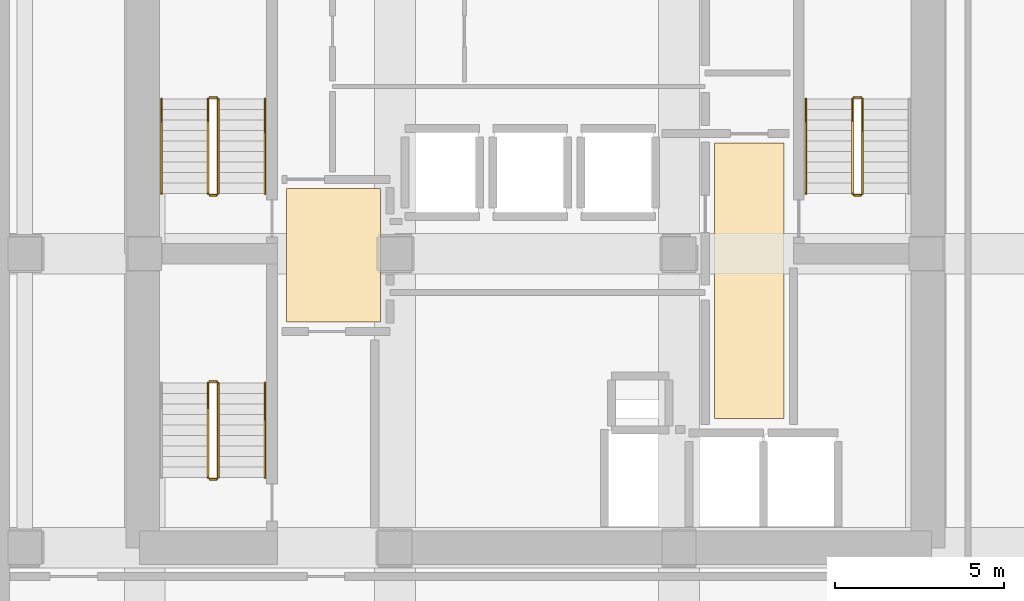
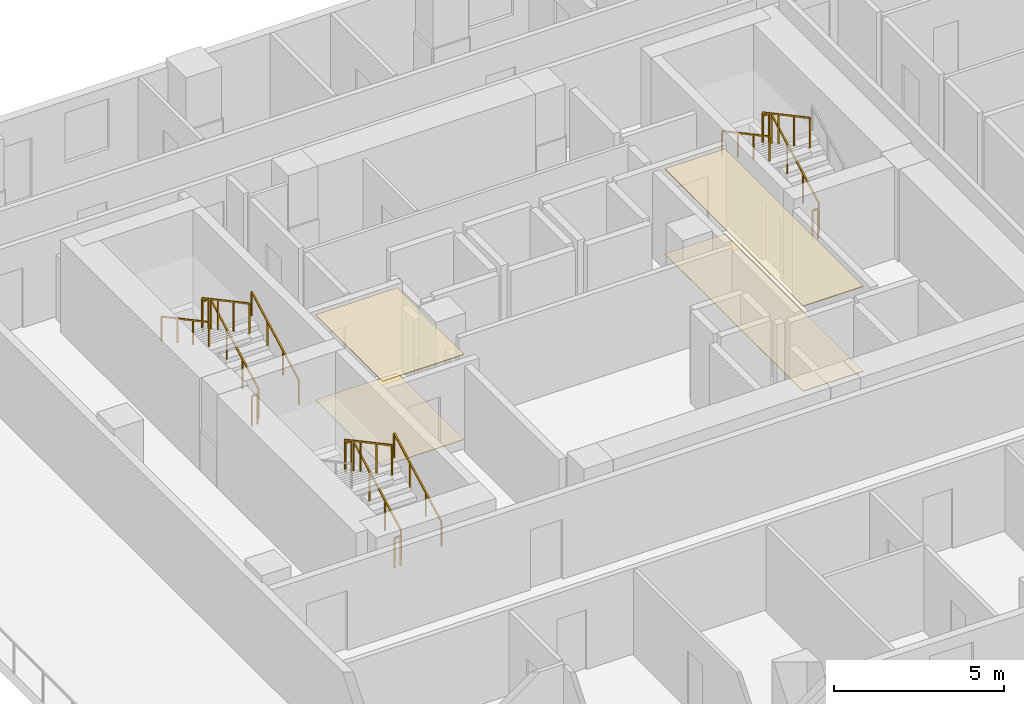
# One storey, part 9 of 10: 16 railings, 4 coverings.
"""IFC4 building model written with IfcOpenShell, lengths in metres."""

from ifc_helpers import new_model, si_unit, direction, frame, origin, origin_2d, place, context, subcontext, project, spatial, polyline, rectangle, outline, extrude, material, layer, layer_set, type_object, element, save


model = new_model("IFC4")

# Units and contexts
model_context = context("Model", 3, precision=1e-05, world=origin(), true_north=direction((0.0, 1.0)))
body_context = subcontext(model_context, "Body", "Model", "MODEL_VIEW")
ifc_project = project(units=[si_unit("LENGTHUNIT", "METRE"), si_unit("AREAUNIT", "SQUARE_METRE"), si_unit("VOLUMEUNIT", "CUBIC_METRE"), si_unit("PLANEANGLEUNIT", "RADIAN"), si_unit("MASSUNIT", "GRAM", prefix="KILO")], contexts=[model_context])

# Site, building, storey
site_placement = place(None, origin())
site = spatial("IfcSite", under=ifc_project, at=site_placement, CompositionType="ELEMENT")
building_placement = place(site_placement, origin())
building = spatial("IfcBuilding", under=site, at=building_placement, Name="Solanera Arch Residences", CompositionType="ELEMENT")
storey_placement = place(building_placement, frame((0.0, 0.0, 126.0)))
storey = spatial("IfcBuildingStorey", under=building, at=storey_placement, Name="L36", CompositionType="ELEMENT", Elevation=126.0)

# Coverings
ifc_material_1 = material(Name="Porcelain Acoustic Floor Tile", Category="ceramic")
ifc_layer_1 = layer(ifc_material_1, 0.02001953125)
ifc_layer_set_1 = layer_set([ifc_layer_1], Name="Porcelain Acoustic Floor Tile")
covering_type_1 = type_object("IfcCoveringType", Name="Porcelain Acoustic Floor Finish FLR-20", PredefinedType="FLOORING", material=ifc_layer_set_1)
covering_1_placement = place(storey_placement, origin())
element("IfcCovering", 1, at=covering_1_placement, inside=storey, type_object=covering_type_1, Name="L36-FFL-W Porcelain Floor Finish", PredefinedType="FLOORING", context=body_context, shape_type="SweptSolid", body=[
    extrude(outline(polyline([(20.375, 28.675048828125), (17.594970703125, 28.675048828125), (17.594970703125, 32.625), (20.375, 32.625), (20.375, 28.675048828125)])), origin(), (0.0, 0.0, 1.0), 0.02001953125),
])
covering_2_placement = place(storey_placement, origin())
element("IfcCovering", 2, at=covering_2_placement, inside=storey, type_object=covering_type_1, Name="L36-FFL-E Porcelain Floor Finish", PredefinedType="FLOORING", context=body_context, shape_type="SweptSolid", body=[
    extrude(outline(polyline([(32.304931640625, 25.824951171875), (30.25, 25.824951171875), (30.25, 33.97509765625), (32.304931640625, 33.97509765625), (32.304931640625, 25.824951171875)])), origin(), (0.0, 0.0, 1.0), 0.02001953125),
])

# Railings
ifc_material_2 = material(Name="Steel S355 (ASTM A992 / A572 Grade 50)", Category="steel")
railing_type_1 = type_object("IfcRailingType", Name="Stair Guardrail GR-1100", PredefinedType="GUARDRAIL", material=ifc_material_2)
railing_1_placement = place(storey_placement, frame((15.570068359375, 32.47998046875, 0.15087890625)))
element("IfcRailing", 3, at=railing_1_placement, inside=storey, type_object=railing_type_1, Name="L36 ST-T1 stair guard 1", PredefinedType="GUARDRAIL", context=body_context, shape_type="SweptSolid", body=[
    extrude(rectangle(XDim=0.048095703125, YDim=0.048095703125, at=origin_2d()), frame((0.0, 0.0, 1.076171875), z_axis=(0.0, 0.881548766853, 0.472092969298), x_axis=(-1.0, 0.0, 0.0)), (0.0, 0.0, 1.0), 3.1650390625),
    extrude(rectangle(XDim=0.0419921875, YDim=0.0419921875, at=origin_2d()), origin(), (0.0, 0.0, 1.0), 1.052001953125),
    extrude(rectangle(XDim=0.0419921875, YDim=0.0419921875, at=origin_2d()), frame((0.0, 0.929931640625, 0.498046875)), (0.0, 0.0, 1.0), 1.052001953125),
    extrude(rectangle(XDim=0.0419921875, YDim=0.0419921875, at=origin_2d()), frame((0.0, 1.860107421875, 0.99609375)), (0.0, 0.0, 1.0), 1.052001953125),
    extrude(rectangle(XDim=0.0419921875, YDim=0.0419921875, at=origin_2d()), frame((0.0, 2.7900390625, 1.494140625)), (0.0, 0.0, 1.0), 1.052001953125),
])
railing_2_placement = place(storey_placement, frame((15.52001953125, 35.320068359375, 1.64501953125)))
element("IfcRailing", 4, at=railing_2_placement, inside=storey, type_object=railing_type_1, Name="L36 ST-T1 stair guard 2", PredefinedType="GUARDRAIL", context=body_context, shape_type="SweptSolid", body=[
    extrude(rectangle(XDim=0.048095703125, YDim=0.048095703125, at=origin_2d()), frame((0.0, 0.0, 1.076171875), z_axis=(-1.0, 0.0, 0.0), x_axis=(0.0, -1.0, 0.0)), (0.0, 0.0, 1.0), 0.199951171875),
    extrude(rectangle(XDim=0.0419921875, YDim=0.0419921875, at=origin_2d()), origin(), (0.0, 0.0, 1.0), 1.052001953125),
    extrude(rectangle(XDim=0.0419921875, YDim=0.0419921875, at=origin_2d()), frame((-0.199951171875, 0.0, 0.0)), (0.0, 0.0, 1.0), 1.052001953125),
])
railing_3_placement = place(storey_placement, frame((15.27001953125, 35.27001953125, 1.81103515625)))
element("IfcRailing", 5, at=railing_3_placement, inside=storey, type_object=railing_type_1, Name="L36 ST-T1 stair guard 3", PredefinedType="GUARDRAIL", context=body_context, shape_type="SweptSolid", body=[
    extrude(rectangle(XDim=0.048095703125, YDim=0.048095703125, at=origin_2d()), frame((0.0, 0.0, 1.076171875), z_axis=(0.0, -0.881580869306, 0.472033018838), x_axis=(1.0, 0.0, 0.0)), (0.0, 0.0, 1.0), 3.164794921875),
    extrude(rectangle(XDim=0.0419921875, YDim=0.0419921875, at=origin_2d()), origin(), (0.0, 0.0, 1.0), 1.052001953125),
    extrude(rectangle(XDim=0.0419921875, YDim=0.0419921875, at=origin_2d()), frame((0.0, -0.929931640625, 0.498046875)), (0.0, 0.0, 1.0), 1.052001953125),
    extrude(rectangle(XDim=0.0419921875, YDim=0.0419921875, at=origin_2d()), frame((0.0, -1.860107421875, 0.995849609375)), (0.0, 0.0, 1.0), 1.052001953125),
    extrude(rectangle(XDim=0.0419921875, YDim=0.0419921875, at=origin_2d()), frame((0.0, -2.7900390625, 1.493896484375)), (0.0, 0.0, 1.0), 1.052001953125),
])
railing_4_placement = place(storey_placement, frame((15.52001953125, 32.429931640625, -0.014892578125)))
element("IfcRailing", 6, at=railing_4_placement, inside=storey, type_object=railing_type_1, Name="L36 ST-T1 stair guard 4", PredefinedType="GUARDRAIL", context=body_context, shape_type="SweptSolid", body=[
    extrude(rectangle(XDim=0.048095703125, YDim=0.048095703125, at=origin_2d()), frame((0.0, 0.0, 1.076171875), z_axis=(-1.0, 0.0, 0.0), x_axis=(0.0, -1.0, 0.0)), (0.0, 0.0, 1.0), 0.199951171875),
    extrude(rectangle(XDim=0.0419921875, YDim=0.0419921875, at=origin_2d()), origin(), (0.0, 0.0, 1.0), 1.052001953125),
    extrude(rectangle(XDim=0.0419921875, YDim=0.0419921875, at=origin_2d()), frame((-0.199951171875, 0.0, 0.0)), (0.0, 0.0, 1.0), 1.052001953125),
])
railing_5_placement = place(storey_placement, frame((34.6298828125, 32.47998046875, 0.15087890625)))
element("IfcRailing", 7, at=railing_5_placement, inside=storey, type_object=railing_type_1, Name="L36 ST-T2 stair guard 1", PredefinedType="GUARDRAIL", context=body_context, shape_type="SweptSolid", body=[
    extrude(rectangle(XDim=0.048095703125, YDim=0.048095703125, at=origin_2d()), frame((0.0, 0.0, 1.076171875), z_axis=(0.0, 0.881548766853, 0.472092969298), x_axis=(-1.0, 0.0, 0.0)), (0.0, 0.0, 1.0), 3.1650390625),
    extrude(rectangle(XDim=0.0419921875, YDim=0.0419921875, at=origin_2d()), origin(), (0.0, 0.0, 1.0), 1.052001953125),
    extrude(rectangle(XDim=0.0419921875, YDim=0.0419921875, at=origin_2d()), frame((0.0, 0.929931640625, 0.498046875)), (0.0, 0.0, 1.0), 1.052001953125),
    extrude(rectangle(XDim=0.0419921875, YDim=0.0419921875, at=origin_2d()), frame((0.0, 1.860107421875, 0.99609375)), (0.0, 0.0, 1.0), 1.052001953125),
    extrude(rectangle(XDim=0.0419921875, YDim=0.0419921875, at=origin_2d()), frame((0.0, 2.7900390625, 1.494140625)), (0.0, 0.0, 1.0), 1.052001953125),
])
railing_6_placement = place(storey_placement, frame((34.580078125, 35.320068359375, 1.64501953125)))
element("IfcRailing", 8, at=railing_6_placement, inside=storey, type_object=railing_type_1, Name="L36 ST-T2 stair guard 2", PredefinedType="GUARDRAIL", context=body_context, shape_type="SweptSolid", body=[
    extrude(rectangle(XDim=0.048095703125, YDim=0.048095703125, at=origin_2d()), frame((0.0, 0.0, 1.076171875), z_axis=(-1.0, 0.0, 0.0), x_axis=(0.0, -1.0, 0.0)), (0.0, 0.0, 1.0), 0.2001953125),
    extrude(rectangle(XDim=0.0419921875, YDim=0.0419921875, at=origin_2d()), origin(), (0.0, 0.0, 1.0), 1.052001953125),
    extrude(rectangle(XDim=0.0419921875, YDim=0.0419921875, at=origin_2d()), frame((-0.2001953125, 0.0, 0.0)), (0.0, 0.0, 1.0), 1.052001953125),
])
railing_7_placement = place(storey_placement, frame((34.330078125, 35.27001953125, 1.81103515625)))
element("IfcRailing", 9, at=railing_7_placement, inside=storey, type_object=railing_type_1, Name="L36 ST-T2 stair guard 3", PredefinedType="GUARDRAIL", context=body_context, shape_type="SweptSolid", body=[
    extrude(rectangle(XDim=0.048095703125, YDim=0.048095703125, at=origin_2d()), frame((0.0, 0.0, 1.076171875), z_axis=(0.0, -0.881580869306, 0.472033018838), x_axis=(1.0, 0.0, 0.0)), (0.0, 0.0, 1.0), 3.164794921875),
    extrude(rectangle(XDim=0.0419921875, YDim=0.0419921875, at=origin_2d()), origin(), (0.0, 0.0, 1.0), 1.052001953125),
    extrude(rectangle(XDim=0.0419921875, YDim=0.0419921875, at=origin_2d()), frame((0.0, -0.929931640625, 0.498046875)), (0.0, 0.0, 1.0), 1.052001953125),
    extrude(rectangle(XDim=0.0419921875, YDim=0.0419921875, at=origin_2d()), frame((0.0, -1.860107421875, 0.995849609375)), (0.0, 0.0, 1.0), 1.052001953125),
    extrude(rectangle(XDim=0.0419921875, YDim=0.0419921875, at=origin_2d()), frame((0.0, -2.7900390625, 1.493896484375)), (0.0, 0.0, 1.0), 1.052001953125),
])
railing_8_placement = place(storey_placement, frame((34.580078125, 32.429931640625, -0.014892578125)))
element("IfcRailing", 10, at=railing_8_placement, inside=storey, type_object=railing_type_1, Name="L36 ST-T2 stair guard 4", PredefinedType="GUARDRAIL", context=body_context, shape_type="SweptSolid", body=[
    extrude(rectangle(XDim=0.048095703125, YDim=0.048095703125, at=origin_2d()), frame((0.0, 0.0, 1.076171875), z_axis=(-1.0, 0.0, 0.0), x_axis=(0.0, -1.0, 0.0)), (0.0, 0.0, 1.0), 0.2001953125),
    extrude(rectangle(XDim=0.0419921875, YDim=0.0419921875, at=origin_2d()), origin(), (0.0, 0.0, 1.0), 1.052001953125),
    extrude(rectangle(XDim=0.0419921875, YDim=0.0419921875, at=origin_2d()), frame((-0.2001953125, 0.0, 0.0)), (0.0, 0.0, 1.0), 1.052001953125),
])
railing_9_placement = place(storey_placement, frame((15.570068359375, 24.080078125, 0.15087890625)))
element("IfcRailing", 11, at=railing_9_placement, inside=storey, type_object=railing_type_1, Name="L36 ST-T3 stair guard 1", PredefinedType="GUARDRAIL", context=body_context, shape_type="SweptSolid", body=[
    extrude(rectangle(XDim=0.048095703125, YDim=0.048095703125, at=origin_2d()), frame((0.0, 0.0, 1.076171875), z_axis=(0.0, 0.881548766853, 0.472092969298), x_axis=(-1.0, 0.0, 0.0)), (0.0, 0.0, 1.0), 3.1650390625),
    extrude(rectangle(XDim=0.0419921875, YDim=0.0419921875, at=origin_2d()), origin(), (0.0, 0.0, 1.0), 1.052001953125),
    extrude(rectangle(XDim=0.0419921875, YDim=0.0419921875, at=origin_2d()), frame((0.0, 0.929931640625, 0.498046875)), (0.0, 0.0, 1.0), 1.052001953125),
    extrude(rectangle(XDim=0.0419921875, YDim=0.0419921875, at=origin_2d()), frame((0.0, 1.860107421875, 0.99609375)), (0.0, 0.0, 1.0), 1.052001953125),
    extrude(rectangle(XDim=0.0419921875, YDim=0.0419921875, at=origin_2d()), frame((0.0, 2.7900390625, 1.494140625)), (0.0, 0.0, 1.0), 1.052001953125),
])
railing_10_placement = place(storey_placement, frame((15.52001953125, 26.919921875, 1.64501953125)))
element("IfcRailing", 12, at=railing_10_placement, inside=storey, type_object=railing_type_1, Name="L36 ST-T3 stair guard 2", PredefinedType="GUARDRAIL", context=body_context, shape_type="SweptSolid", body=[
    extrude(rectangle(XDim=0.048095703125, YDim=0.048095703125, at=origin_2d()), frame((0.0, 0.0, 1.076171875), z_axis=(-1.0, 0.0, 0.0), x_axis=(0.0, -1.0, 0.0)), (0.0, 0.0, 1.0), 0.199951171875),
    extrude(rectangle(XDim=0.0419921875, YDim=0.0419921875, at=origin_2d()), origin(), (0.0, 0.0, 1.0), 1.052001953125),
    extrude(rectangle(XDim=0.0419921875, YDim=0.0419921875, at=origin_2d()), frame((-0.199951171875, 0.0, 0.0)), (0.0, 0.0, 1.0), 1.052001953125),
])
railing_11_placement = place(storey_placement, frame((15.27001953125, 26.8701171875, 1.81103515625)))
element("IfcRailing", 13, at=railing_11_placement, inside=storey, type_object=railing_type_1, Name="L36 ST-T3 stair guard 3", PredefinedType="GUARDRAIL", context=body_context, shape_type="SweptSolid", body=[
    extrude(rectangle(XDim=0.048095703125, YDim=0.048095703125, at=origin_2d()), frame((0.0, 0.0, 1.076171875), z_axis=(0.0, -0.881580869306, 0.472033018838), x_axis=(1.0, 0.0, 0.0)), (0.0, 0.0, 1.0), 3.164794921875),
    extrude(rectangle(XDim=0.0419921875, YDim=0.0419921875, at=origin_2d()), origin(), (0.0, 0.0, 1.0), 1.052001953125),
    extrude(rectangle(XDim=0.0419921875, YDim=0.0419921875, at=origin_2d()), frame((0.0, -0.929931640625, 0.498046875)), (0.0, 0.0, 1.0), 1.052001953125),
    extrude(rectangle(XDim=0.0419921875, YDim=0.0419921875, at=origin_2d()), frame((0.0, -1.860107421875, 0.995849609375)), (0.0, 0.0, 1.0), 1.052001953125),
    extrude(rectangle(XDim=0.0419921875, YDim=0.0419921875, at=origin_2d()), frame((0.0, -2.7900390625, 1.493896484375)), (0.0, 0.0, 1.0), 1.052001953125),
])
railing_12_placement = place(storey_placement, frame((15.52001953125, 24.030029296875, -0.014892578125)))
element("IfcRailing", 14, at=railing_12_placement, inside=storey, type_object=railing_type_1, Name="L36 ST-T3 stair guard 4", PredefinedType="GUARDRAIL", context=body_context, shape_type="SweptSolid", body=[
    extrude(rectangle(XDim=0.048095703125, YDim=0.048095703125, at=origin_2d()), frame((0.0, 0.0, 1.076171875), z_axis=(-1.0, 0.0, 0.0), x_axis=(0.0, -1.0, 0.0)), (0.0, 0.0, 1.0), 0.199951171875),
    extrude(rectangle(XDim=0.0419921875, YDim=0.0419921875, at=origin_2d()), origin(), (0.0, 0.0, 1.0), 1.052001953125),
    extrude(rectangle(XDim=0.0419921875, YDim=0.0419921875, at=origin_2d()), frame((-0.199951171875, 0.0, 0.0)), (0.0, 0.0, 1.0), 1.052001953125),
])
ifc_material_3 = material(Name="Steel S355 (ASTM A992 / A572 Grade 50)", Category="steel")
railing_type_2 = type_object("IfcRailingType", Name="Stair Wall Handrail HR-920", PredefinedType="HANDRAIL", material=ifc_material_3)
railing_13_placement = place(storey_placement, frame((16.949951171875, 32.47998046875, 0.166015625)))
element("IfcRailing", 15, at=railing_13_placement, inside=storey, type_object=railing_type_2, Name="L36 ST-T1 stair handrail 1", PredefinedType="HANDRAIL", context=body_context, shape_type="SweptSolid", body=[
    extrude(rectangle(XDim=0.048095703125, YDim=0.048095703125, at=origin_2d()), frame((0.0, 0.0, 0.8759765625), z_axis=(0.0, 0.881580869306, 0.472033018838), x_axis=(-1.0, 0.0, 0.0)), (0.0, 0.0, 1.0), 3.164794921875),
    extrude(rectangle(XDim=0.0419921875, YDim=0.0419921875, at=origin_2d()), origin(), (0.0, 0.0, 1.0), 0.851806640625),
    extrude(rectangle(XDim=0.0419921875, YDim=0.0419921875, at=origin_2d()), frame((0.0, 0.929931640625, 0.498046875)), (0.0, 0.0, 1.0), 0.851806640625),
    extrude(rectangle(XDim=0.0419921875, YDim=0.0419921875, at=origin_2d()), frame((0.0, 1.860107421875, 0.995849609375)), (0.0, 0.0, 1.0), 0.851806640625),
    extrude(rectangle(XDim=0.0419921875, YDim=0.0419921875, at=origin_2d()), frame((0.0, 2.7900390625, 1.493896484375)), (0.0, 0.0, 1.0), 0.851806640625),
])
for number, where, name in (
    (16, (13.889892578125, 35.27001953125, 1.825927734375), "L36 ST-T1 stair handrail 2"),
    (17, (32.949951171875, 35.27001953125, 1.825927734375), "L36 ST-T2 stair handrail 2"),
):
    element("IfcRailing", number, at=place(storey_placement, frame(where)), inside=storey, type_object=railing_type_2, Name=name, PredefinedType="HANDRAIL", context=body_context, shape_type="SweptSolid", body=[
        extrude(rectangle(XDim=0.048095703125, YDim=0.048095703125, at=origin_2d()), frame((0.0, 0.0, 0.8759765625), z_axis=(0.0, -0.881548766853, 0.472092969298), x_axis=(1.0, 0.0, 0.0)), (0.0, 0.0, 1.0), 3.1650390625),
        extrude(rectangle(XDim=0.0419921875, YDim=0.0419921875, at=origin_2d()), origin(), (0.0, 0.0, 1.0), 0.851806640625),
        extrude(rectangle(XDim=0.0419921875, YDim=0.0419921875, at=origin_2d()), frame((0.0, -0.929931640625, 0.498046875)), (0.0, 0.0, 1.0), 0.851806640625),
        extrude(rectangle(XDim=0.0419921875, YDim=0.0419921875, at=origin_2d()), frame((0.0, -1.860107421875, 0.99609375)), (0.0, 0.0, 1.0), 0.851806640625),
        extrude(rectangle(XDim=0.0419921875, YDim=0.0419921875, at=origin_2d()), frame((0.0, -2.7900390625, 1.494140625)), (0.0, 0.0, 1.0), 0.851806640625),
    ])
railing_14_placement = place(storey_placement, frame((16.949951171875, 24.080078125, 0.166015625)))
element("IfcRailing", 18, at=railing_14_placement, inside=storey, type_object=railing_type_2, Name="L36 ST-T3 stair handrail 1", PredefinedType="HANDRAIL", context=body_context, shape_type="SweptSolid", body=[
    extrude(rectangle(XDim=0.048095703125, YDim=0.048095703125, at=origin_2d()), frame((0.0, 0.0, 0.8759765625), z_axis=(0.0, 0.881580869306, 0.472033018838), x_axis=(-1.0, 0.0, 0.0)), (0.0, 0.0, 1.0), 3.164794921875),
    extrude(rectangle(XDim=0.0419921875, YDim=0.0419921875, at=origin_2d()), origin(), (0.0, 0.0, 1.0), 0.851806640625),
    extrude(rectangle(XDim=0.0419921875, YDim=0.0419921875, at=origin_2d()), frame((0.0, 0.929931640625, 0.498046875)), (0.0, 0.0, 1.0), 0.851806640625),
    extrude(rectangle(XDim=0.0419921875, YDim=0.0419921875, at=origin_2d()), frame((0.0, 1.860107421875, 0.995849609375)), (0.0, 0.0, 1.0), 0.851806640625),
    extrude(rectangle(XDim=0.0419921875, YDim=0.0419921875, at=origin_2d()), frame((0.0, 2.7900390625, 1.493896484375)), (0.0, 0.0, 1.0), 0.851806640625),
])

# Coverings
ifc_material_4 = material(Name="Mineral Fibre Acoustic Ceiling Board", Category="gypsum")
ifc_layer_2 = layer(ifc_material_4, 0.02490234375)
ifc_layer_set_2 = layer_set([ifc_layer_2], Name="Mineral Fibre Acoustic Ceiling Board")
covering_type_2 = type_object("IfcCoveringType", Name="Suspended Acoustic Ceiling Board CLG-25", PredefinedType="CEILING", material=ifc_layer_set_2)
covering_3_placement = place(storey_placement, frame((0.0, 0.0, 3.054931640625)))
element("IfcCovering", 19, at=covering_3_placement, inside=storey, type_object=covering_type_2, Name="L36-FFL-W Acoustic Ceiling", PredefinedType="CEILING", context=body_context, shape_type="SweptSolid", body=[
    extrude(outline(polyline([(20.375, 28.675048828125), (17.594970703125, 28.675048828125), (17.594970703125, 32.625), (20.375, 32.625), (20.375, 28.675048828125)])), origin(), (0.0, 0.0, 1.0), 0.025146484375),
])
covering_4_placement = place(storey_placement, frame((0.0, 0.0, 3.054931640625)))
element("IfcCovering", 20, at=covering_4_placement, inside=storey, type_object=covering_type_2, Name="L36-FFL-E Acoustic Ceiling", PredefinedType="CEILING", context=body_context, shape_type="SweptSolid", body=[
    extrude(outline(polyline([(32.304931640625, 25.824951171875), (30.25, 25.824951171875), (30.25, 33.97509765625), (32.304931640625, 33.97509765625), (32.304931640625, 25.824951171875)])), origin(), (0.0, 0.0, 1.0), 0.025146484375),
])

save(model, "model.ifc")
